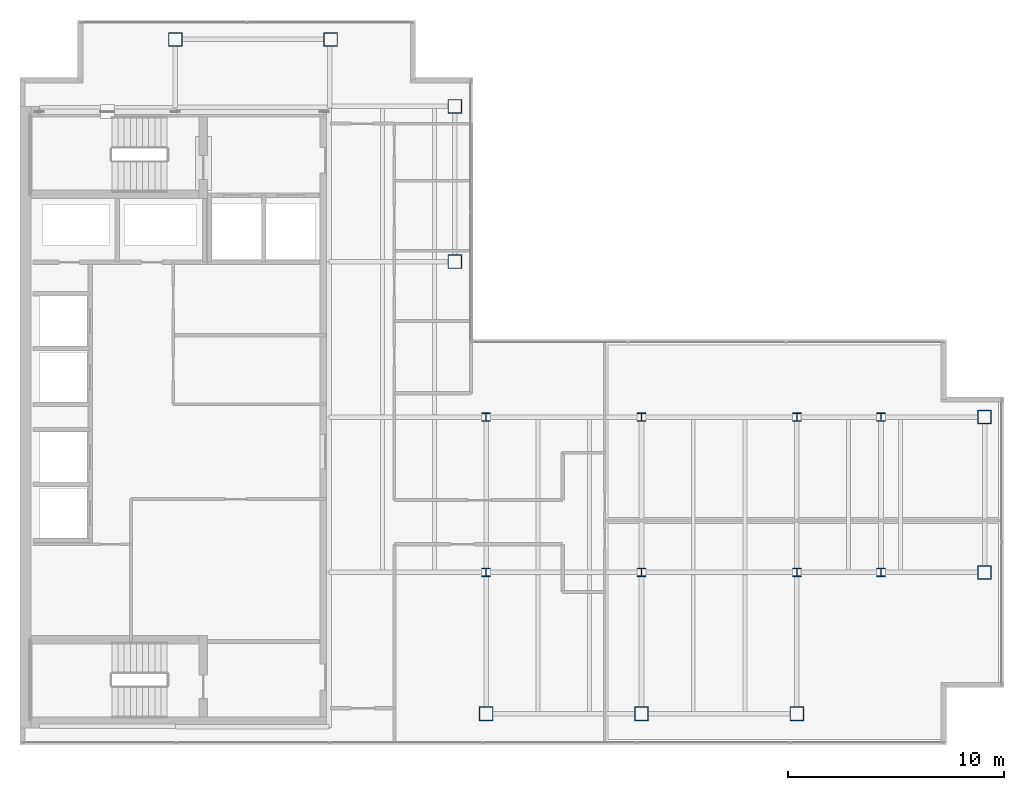
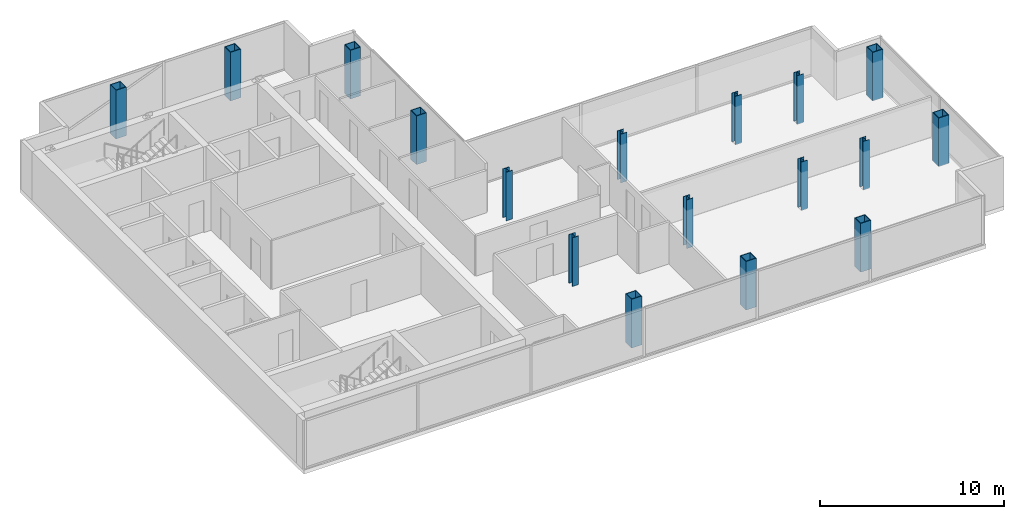
# One storey, part 1 of 23: 17 columns.
"""IFC4 building model written with IfcOpenShell, lengths in metres."""

from ifc_helpers import new_model, si_unit, direction, frame, origin, origin_2d, place, context, subcontext, project, spatial, hollow_rectangle, i_section, extrude, material, material_profile, profile_set, type_object, element, save


model = new_model("IFC4")

# Units and contexts
model_context = context("Model", 3, precision=1e-05, world=origin(), true_north=direction((0.0, 1.0)))
body_context = subcontext(model_context, "Body", "Model", "MODEL_VIEW")
ifc_project = project(units=[si_unit("LENGTHUNIT", "METRE"), si_unit("AREAUNIT", "SQUARE_METRE"), si_unit("VOLUMEUNIT", "CUBIC_METRE"), si_unit("PLANEANGLEUNIT", "RADIAN"), si_unit("MASSUNIT", "GRAM", prefix="KILO")], contexts=[model_context])

# Site, building, storey
site_placement = place(None, origin())
site = spatial("IfcSite", under=ifc_project, at=site_placement, CompositionType="ELEMENT")
building_placement = place(site_placement, origin())
building = spatial("IfcBuilding", under=site, at=building_placement, Name="Cobrela Telecom Tower", CompositionType="ELEMENT")
storey_placement = place(building_placement, frame((0.0, 0.0, 279.64990234375)))
storey = spatial("IfcBuildingStorey", under=building, at=storey_placement, Name="L73", CompositionType="ELEMENT", Elevation=279.64990234375)

# Columns
ifc_material_1 = material(Name="Steel ASTM A992 Grade 50", Category="steel")
ifc_material_profile_1 = material_profile(ifc_material_1, i_section(OverallWidth=0.39892578125, OverallDepth=0.39404296875, WebThickness=0.022705078125, FlangeThickness=0.03662109375, FilletRadius=0.01806640625, at=origin_2d()), Name="W14X193")
ifc_profile_set_1 = profile_set([ifc_material_profile_1], Name="Steel ASTM A992 Grade 50")
column_type_1 = type_object("IfcColumnType", Name="COL-INT-06", PredefinedType="COLUMN", material=ifc_profile_set_1)
for number, where, z_axis, x_axis, name in (
    (1, (21.60009765625, 14.39990234375, 0.0), (0.0, 0.0, 1.0), (1.0, 0.0, 0.0), "L73 Interior Column 06"),
    (2, (21.60009765625, 21.60009765625, 0.0), (0.0, 0.0, 1.0), (1.0, 0.0, 0.0), "L73 Interior Column 07"),
    (3, (28.800048828125, 14.39990234375, 0.0), (0.0, 0.0, 1.0), (1.0, 0.0, 0.0), "L73 Interior Column 09"),
    (4, (28.800048828125, 21.60009765625, 0.0), (0.0, 0.0, 1.0), (1.0, 0.0, 0.0), "L73 Interior Column 10"),
    (5, (36.0, 14.39990234375, 0.0), (0.0, 0.0, 1.0), (1.0, 0.0, 0.0), "L73 Interior Column 12"),
    (6, (36.0, 21.60009765625, 0.0), (0.0, 0.0, 1.0), (1.0, 0.0, 0.0), "L73 Interior Column 13"),
    (7, (39.89990234375, 14.39990234375, 0.0), (0.0, 0.0, 1.0), (1.0, 0.0, 0.0), "L73 Interior Column 14"),
    (8, (39.89990234375, 21.60009765625, 0.0), (0.0, 0.0, 1.0), (1.0, 0.0, 0.0), "L73 Interior Column 15"),
):
    element("IfcColumn", number, at=place(storey_placement, frame(where, z_axis=z_axis, x_axis=x_axis)), inside=storey, type_object=column_type_1, Name=name, PredefinedType="COLUMN", context=body_context, shape_type="SweptSolid", body=[
        extrude(i_section(OverallWidth=0.39892578125, OverallDepth=0.39404296875, WebThickness=0.022705078125, FlangeThickness=0.03662109375, FilletRadius=0.01806640625, at=origin_2d()), origin(), (0.0, 0.0, 1.0), 3.239990234375),
    ])
ifc_material_2 = material(Name="Steel ASTM A572 Grade 50", Category="steel")
ifc_material_profile_2 = material_profile(ifc_material_2, hollow_rectangle(XDim=0.64990234375, YDim=0.64990234375, WallThickness=0.0400390625, at=origin_2d()), Name="BOX 650x650x40")
ifc_profile_set_2 = profile_set([ifc_material_profile_2], Name="Steel ASTM A572 Grade 50")
column_type_2 = type_object("IfcColumnType", Name="COL-MEGA-09", PredefinedType="COLUMN", material=ifc_profile_set_2)
for number, where, z_axis, x_axis, name in (
    (9, (7.199951171875, 39.10009765625, 0.0), (0.0, 0.0, 1.0), (1.0, 0.0, 0.0), "L73 Perimeter Mega-Column 01"),
    (10, (14.39990234375, 39.10009765625, 0.0), (0.0, 0.0, 1.0), (1.0, 0.0, 0.0), "L73 Perimeter Mega-Column 02"),
    (11, (20.14990234375, 28.800048828125, 0.0), (0.0, 0.0, 1.0), (1.0, 0.0, 0.0), "L73 Perimeter Mega-Column 03"),
    (12, (20.14990234375, 36.0, 0.0), (0.0, 0.0, 1.0), (1.0, 0.0, 0.0), "L73 Perimeter Mega-Column 04"),
    (13, (21.60009765625, 7.85009765625, 0.0), (0.0, 0.0, 1.0), (1.0, 0.0, 0.0), "L73 Perimeter Mega-Column 05"),
    (14, (28.800048828125, 7.85009765625, 0.0), (0.0, 0.0, 1.0), (1.0, 0.0, 0.0), "L73 Perimeter Mega-Column 08"),
    (15, (36.0, 7.85009765625, 0.0), (0.0, 0.0, 1.0), (1.0, 0.0, 0.0), "L73 Perimeter Mega-Column 11"),
    (16, (44.699951171875, 14.39990234375, 0.0), (0.0, 0.0, 1.0), (1.0, 0.0, 0.0), "L73 Perimeter Mega-Column 16"),
    (17, (44.699951171875, 21.60009765625, 0.0), (0.0, 0.0, 1.0), (1.0, 0.0, 0.0), "L73 Perimeter Mega-Column 17"),
):
    element("IfcColumn", number, at=place(storey_placement, frame(where, z_axis=z_axis, x_axis=x_axis)), inside=storey, type_object=column_type_2, Name=name, PredefinedType="COLUMN", context=body_context, shape_type="SweptSolid", body=[
        extrude(hollow_rectangle(XDim=0.64990234375, YDim=0.64990234375, WallThickness=0.0400390625, at=origin_2d()), origin(), (0.0, 0.0, 1.0), 3.239990234375),
    ])

save(model, "model.ifc")
